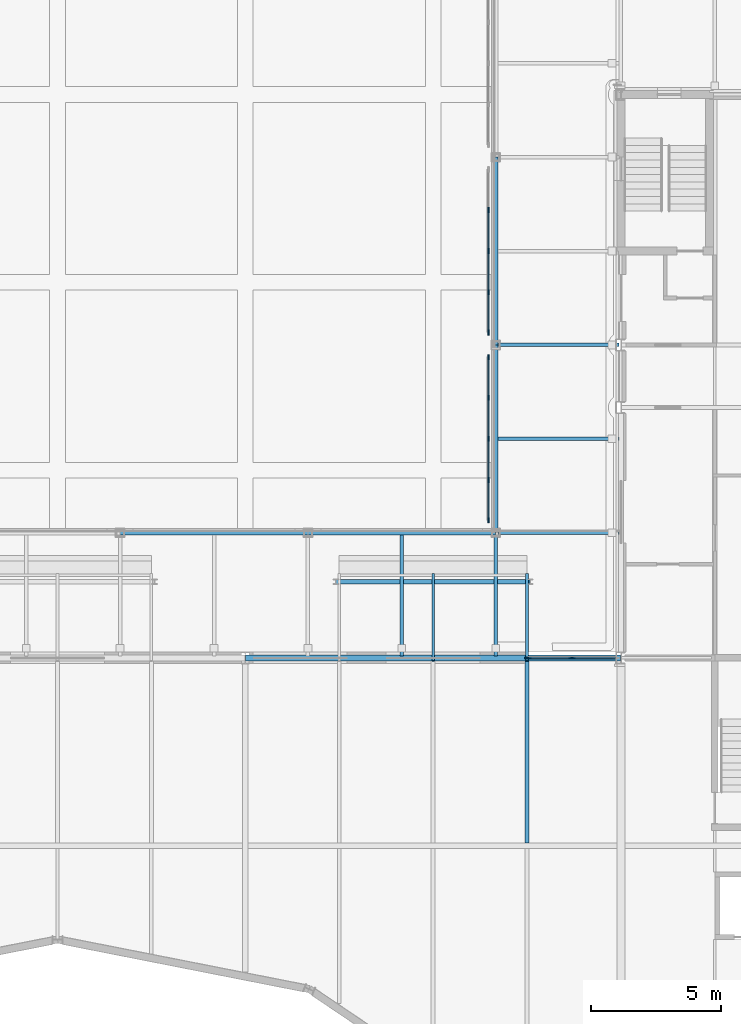
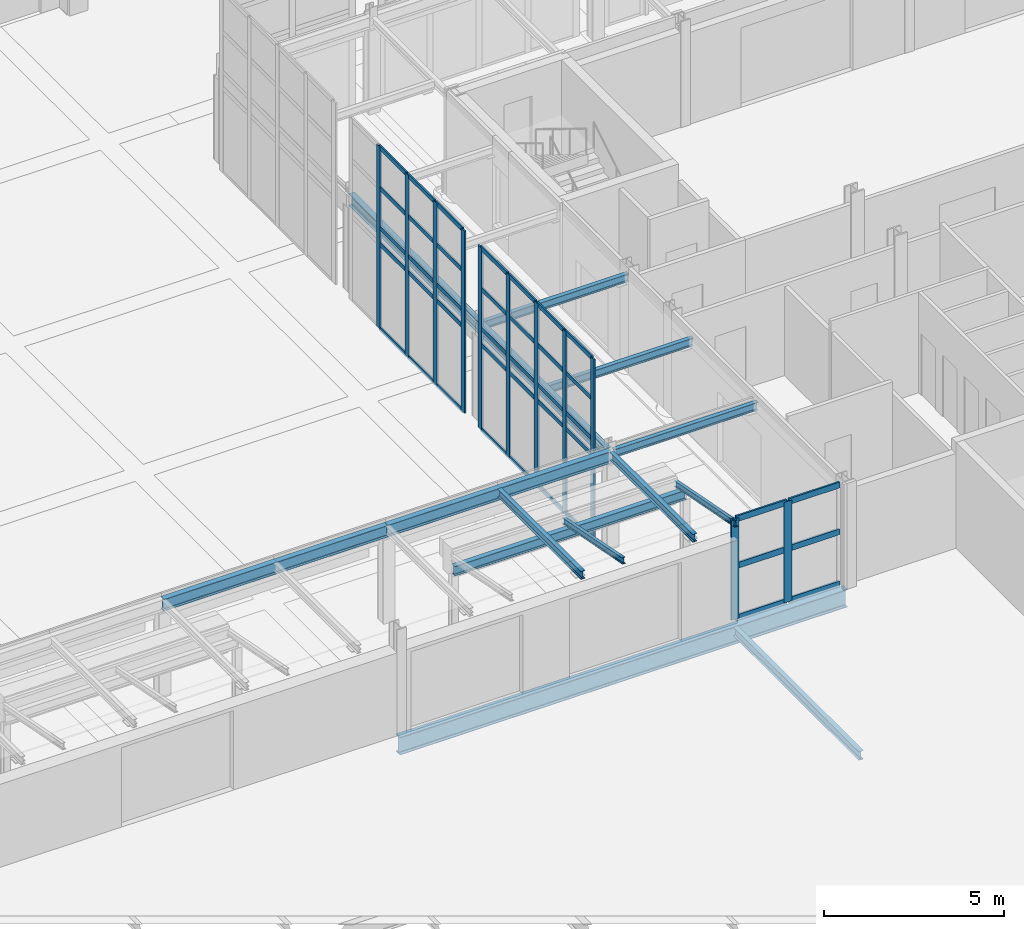
# One storey, part 48 of 143: 52 members, 14 beams, 3 elements without a shape of their own.
"""IFC4 building model written with IfcOpenShell, lengths in metres."""

from ifc_helpers import new_model, si_unit, direction, frame, origin, origin_2d, place, context, subcontext, project, spatial, rectangle, i_section, extrude, material, material_profile, profile_set, type_object, element, aggregate, save


model = new_model("IFC4")

# Units and contexts
model_context = context("Model", 3, precision=1e-05, world=origin(), true_north=direction((0.0, 1.0)))
body_context = subcontext(model_context, "Body", "Model", "MODEL_VIEW")
ifc_project = project(units=[si_unit("LENGTHUNIT", "METRE"), si_unit("AREAUNIT", "SQUARE_METRE"), si_unit("VOLUMEUNIT", "CUBIC_METRE"), si_unit("PLANEANGLEUNIT", "RADIAN"), si_unit("MASSUNIT", "GRAM", prefix="KILO")], contexts=[model_context])

# Site, building, storey
site_placement = place(None, origin())
site = spatial("IfcSite", under=ifc_project, at=site_placement, CompositionType="ELEMENT")
building_placement = place(site_placement, origin())
building = spatial("IfcBuilding", under=site, at=building_placement, Name="Kupolbacken Congress Centre", CompositionType="ELEMENT")
storey_placement = place(building_placement, frame((0.0, 0.0, 7.199951171875)))
storey = spatial("IfcBuildingStorey", under=building, at=storey_placement, Name="L02", CompositionType="ELEMENT", Elevation=7.199951171875)

# Beams
ifc_material_1 = material(Name="Steel S355", Category="steel")
ifc_material_profile_1 = material_profile(ifc_material_1, i_section(OverallWidth=0.10009765625, OverallDepth=0.199951171875, WebThickness=0.005615234375, FlangeThickness=0.008544921875, FilletRadius=0.011962890625, at=origin_2d()), Name="IPE 200")
ifc_profile_set_1 = profile_set([ifc_material_profile_1], Name="Steel S355")
beam_type_1 = type_object("IfcBeamType", Name="B01 beam IPE 200", PredefinedType="BEAM", material=ifc_profile_set_1)
for number, where, z_axis, x_axis, name in (
    (1, (61.199951171875, 122.280029296875, 3.320068359375), (0.0, 0.981591109937, -0.190994483931), (-1.0, 0.0, 0.0), "Canopy beam"),
    (2, (57.60009765625, 122.280029296875, 3.320068359375), (0.0, 0.981591109937, -0.190994483931), (-1.0, 0.0, 0.0), "Canopy beam"),
):
    element("IfcBeam", number, at=place(storey_placement, frame(where, z_axis=z_axis, x_axis=x_axis)), inside=storey, type_object=beam_type_1, Name=name, PredefinedType="BEAM", context=body_context, shape_type="SweptSolid", body=[
        extrude(i_section(OverallWidth=0.10009765625, OverallDepth=0.199951171875, WebThickness=0.005615234375, FlangeThickness=0.008544921875, FilletRadius=0.011962890625, at=origin_2d()), origin(), (0.0, 0.0, 1.0), 3.40283203125),
    ])
ifc_material_2 = material(Name="Steel S355", Category="steel")
ifc_material_profile_2 = material_profile(ifc_material_2, i_section(OverallWidth=0.135009765625, OverallDepth=0.27001953125, WebThickness=0.006591796875, FlangeThickness=0.01025390625, FilletRadius=0.014892578125, at=origin_2d()), Name="IPE 270")
ifc_profile_set_2 = profile_set([ifc_material_profile_2], Name="Steel S355")
beam_type_2 = type_object("IfcBeamType", Name="B03 beam IPE 270", PredefinedType="BEAM", material=ifc_profile_set_2)
for number, where, z_axis, x_axis, name in (
    (3, (56.39990234375, 122.47998046875, 3.135009765625), (0.0, 1.0, 0.0), (-1.0, 0.0, 0.0), "E/T/portico/P/raft56.4"),
    (4, (60.0, 122.47998046875, 3.135009765625), (0.0, 1.0, 0.0), (-1.0, 0.0, 0.0), "E/T/portico/P/raft60"),
    (5, (64.719970703125, 127.199951171875, 3.135009765625), (-1.0, 0.0, 0.0), (0.0, -1.0, 0.0), "E/T/portico/W/raft127.2"),
    (6, (64.719970703125, 130.800048828125, 3.135009765625), (-1.0, 0.0, 0.0), (0.0, -1.0, 0.0), "E/T/portico/W/raft130.8"),
    (7, (64.719970703125, 134.39990234375, 3.135009765625), (-1.0, 0.0, 0.0), (0.0, -1.0, 0.0), "E/T/portico/W/raft134.4"),
):
    element("IfcBeam", number, at=place(storey_placement, frame(where, z_axis=z_axis, x_axis=x_axis)), inside=storey, type_object=beam_type_2, Name=name, PredefinedType="BEAM", context=body_context, shape_type="SweptSolid", body=[
        extrude(i_section(OverallWidth=0.135009765625, OverallDepth=0.27001953125, WebThickness=0.006591796875, FlangeThickness=0.01025390625, FilletRadius=0.014892578125, at=origin_2d()), origin(), (0.0, 0.0, 1.0), 4.635009765625),
    ])
ifc_material_3 = material(Name="Steel S355", Category="steel")
ifc_material_profile_3 = material_profile(ifc_material_3, i_section(OverallWidth=0.14990234375, OverallDepth=0.300048828125, WebThickness=0.007080078125, FlangeThickness=0.0107421875, FilletRadius=0.014892578125, at=origin_2d()), Name="IPE 300")
ifc_profile_set_3 = profile_set([ifc_material_profile_3], Name="Steel S355")
beam_type_3 = type_object("IfcBeamType", Name="B04 beam IPE 300", PredefinedType="BEAM", material=ifc_profile_set_3)
beam_1_placement = place(storey_placement, frame((61.199951171875, 115.31005859375, -0.329833984375), z_axis=(0.0, 1.0, 0.0), x_axis=(-1.0, 0.0, 0.0)))
element("IfcBeam", 8, at=beam_1_placement, inside=storey, type_object=beam_type_3, Name="S/floor/P/L02/S139", PredefinedType="BEAM", context=body_context, shape_type="SweptSolid", body=[
    extrude(i_section(OverallWidth=0.14990234375, OverallDepth=0.300048828125, WebThickness=0.007080078125, FlangeThickness=0.0107421875, FilletRadius=0.014892578125, at=origin_2d()), origin(), (0.0, 0.0, 1.0), 6.97998046875),
])
ifc_material_4 = material(Name="Steel S355", Category="steel")
ifc_material_profile_4 = material_profile(ifc_material_4, i_section(OverallWidth=0.159912109375, OverallDepth=0.330078125, WebThickness=0.007568359375, FlangeThickness=0.011474609375, FilletRadius=0.01806640625, at=origin_2d()), Name="IPE 330")
ifc_profile_set_4 = profile_set([ifc_material_profile_4], Name="Steel S355")
beam_type_4 = type_object("IfcBeamType", Name="B05 beam IPE 330", PredefinedType="BEAM", material=ifc_profile_set_4)
beam_2_placement = place(storey_placement, frame((61.320068359375, 125.320068359375, 2.463134765625), z_axis=(-1.0, 0.0, 0.0), x_axis=(0.0, -1.0, 0.0)))
element("IfcBeam", 9, at=beam_2_placement, inside=storey, type_object=beam_type_4, Name="Canopy tip beam", PredefinedType="BEAM", context=body_context, shape_type="SweptSolid", body=[
    extrude(i_section(OverallWidth=0.159912109375, OverallDepth=0.330078125, WebThickness=0.007568359375, FlangeThickness=0.011474609375, FilletRadius=0.01806640625, at=origin_2d()), origin(), (0.0, 0.0, 1.0), 7.440185546875),
])
ifc_material_5 = material(Name="Steel S355", Category="steel")
ifc_material_profile_5 = material_profile(ifc_material_5, i_section(OverallWidth=0.179931640625, OverallDepth=0.39990234375, WebThickness=0.008544921875, FlangeThickness=0.013427734375, FilletRadius=0.02099609375, at=origin_2d()), Name="IPE 400")
ifc_profile_set_5 = profile_set([ifc_material_profile_5], Name="Steel S355")
beam_type_5 = type_object("IfcBeamType", Name="B07 beam IPE 400", PredefinedType="BEAM", material=ifc_profile_set_5)
for number, where, z_axis, x_axis, name in (
    (10, (45.60009765625, 127.199951171875, 3.070068359375), (1.0, 0.0, 0.0), (0.0, 1.0, 0.0), "E/T/portico/P/lintel45.6"),
    (11, (52.800048828125, 127.199951171875, 3.070068359375), (1.0, 0.0, 0.0), (0.0, 1.0, 0.0), "E/T/portico/P/lintel52.8"),
):
    element("IfcBeam", number, at=place(storey_placement, frame(where, z_axis=z_axis, x_axis=x_axis)), inside=storey, type_object=beam_type_5, Name=name, PredefinedType="BEAM", context=body_context, shape_type="SweptSolid", body=[
        extrude(i_section(OverallWidth=0.179931640625, OverallDepth=0.39990234375, WebThickness=0.008544921875, FlangeThickness=0.013427734375, FilletRadius=0.02099609375, at=origin_2d()), origin(), (0.0, 0.0, 1.0), 7.199951171875),
    ])
beam_3_placement = place(storey_placement, frame((60.0, 127.300048828125, 3.070068359375), z_axis=(0.0, 1.0, 0.0), x_axis=(-1.0, 0.0, 0.0)))
element("IfcBeam", 12, at=beam_3_placement, inside=storey, type_object=beam_type_5, Name="E/T/portico/W/lintel127.3", PredefinedType="BEAM", context=body_context, shape_type="SweptSolid", body=[
    extrude(i_section(OverallWidth=0.179931640625, OverallDepth=0.39990234375, WebThickness=0.008544921875, FlangeThickness=0.013427734375, FilletRadius=0.02099609375, at=origin_2d()), origin(), (0.0, 0.0, 1.0), 7.099853515625),
])
beam_4_placement = place(storey_placement, frame((60.0, 134.39990234375, 3.070068359375), z_axis=(0.0, 1.0, 0.0), x_axis=(-1.0, 0.0, 0.0)))
element("IfcBeam", 13, at=beam_4_placement, inside=storey, type_object=beam_type_5, Name="E/T/portico/W/lintel134.4", PredefinedType="BEAM", context=body_context, shape_type="SweptSolid", body=[
    extrude(i_section(OverallWidth=0.179931640625, OverallDepth=0.39990234375, WebThickness=0.008544921875, FlangeThickness=0.013427734375, FilletRadius=0.02099609375, at=origin_2d()), origin(), (0.0, 0.0, 1.0), 7.2001953125),
])
ifc_material_6 = material(Name="Steel S355", Category="steel")
ifc_material_profile_6 = material_profile(ifc_material_6, i_section(OverallWidth=0.219970703125, OverallDepth=0.60009765625, WebThickness=0.011962890625, FlangeThickness=0.01904296875, FilletRadius=0.02392578125, at=origin_2d()), Name="IPE 600")
ifc_profile_set_6 = profile_set([ifc_material_profile_6], Name="Steel S355")
beam_type_6 = type_object("IfcBeamType", Name="B11 beam IPE 600", PredefinedType="BEAM", material=ifc_profile_set_6)
beam_5_placement = place(storey_placement, frame((50.406982421875, 122.39990234375, -0.47998046875), z_axis=(1.0, 0.0, 0.0), x_axis=(0.0, 1.0, 0.0)))
element("IfcBeam", 14, at=beam_5_placement, inside=storey, type_object=beam_type_6, Name="S/floor/P/L02/R073", PredefinedType="BEAM", context=body_context, shape_type="SweptSolid", body=[
    extrude(i_section(OverallWidth=0.219970703125, OverallDepth=0.60009765625, WebThickness=0.011962890625, FlangeThickness=0.01904296875, FilletRadius=0.02392578125, at=origin_2d()), origin(), (0.0, 0.0, 1.0), 14.385986328125),
])

# Curtain wall, members
ifc_material_7 = material(Name="Aluminium mullion-transom frame with glass", Category="aluminium")
curtain_wall_type_1 = type_object("IfcCurtainWallType", Name="CW1 curtain wall 7200x3600", PredefinedType="NOTDEFINED", material=ifc_material_7)
curtain_wall_1_placement = place(storey_placement, origin())
curtain_wall_1 = element("IfcCurtainWall", 15, at=curtain_wall_1_placement, inside=storey, type_object=curtain_wall_type_1, Name="E/T/portal/W/screen127.2/cw", PredefinedType="NOTDEFINED")
ifc_material_8 = material(Name="Aluminium alloy", Category="aluminium")
ifc_material_profile_7 = material_profile(ifc_material_8, rectangle(XDim=0.050048828125, YDim=0.199951171875, at=origin_2d()), Name="50 x 200")
ifc_profile_set_7 = profile_set([ifc_material_profile_7], Name="Aluminium alloy")
member_type_1 = type_object("IfcMemberType", Name="MU2 mullion 50x200", PredefinedType="MULLION", material=ifc_profile_set_7)
member_1_placement = place(storey_placement, frame((59.719970703125, 133.925048828125, 0.0), z_axis=(0.0, 0.0, 1.0), x_axis=(1.0, 0.0, 0.0)))
member_1 = element("IfcMember", 16, at=member_1_placement, type_object=member_type_1, Name="CW1 mullion 1", PredefinedType="MULLION", context=body_context, shape_type="SweptSolid", body=[
    extrude(rectangle(XDim=0.050048828125, YDim=0.199951171875, at=origin_2d()), origin(), (0.0, 0.0, 1.0), 6.199951171875),
])
member_2_placement = place(storey_placement, frame((59.719970703125, 132.375, 0.0), z_axis=(0.0, 0.0, 1.0), x_axis=(1.0, 0.0, 0.0)))
member_2 = element("IfcMember", 17, at=member_2_placement, type_object=member_type_1, Name="CW1 mullion 2", PredefinedType="MULLION", context=body_context, shape_type="SweptSolid", body=[
    extrude(rectangle(XDim=0.050048828125, YDim=0.199951171875, at=origin_2d()), origin(), (0.0, 0.0, 1.0), 6.199951171875),
])
member_3_placement = place(storey_placement, frame((59.719970703125, 130.800048828125, 0.0), z_axis=(0.0, 0.0, 1.0), x_axis=(1.0, 0.0, 0.0)))
member_3 = element("IfcMember", 18, at=member_3_placement, type_object=member_type_1, Name="CW1 mullion 3", PredefinedType="MULLION", context=body_context, shape_type="SweptSolid", body=[
    extrude(rectangle(XDim=0.050048828125, YDim=0.199951171875, at=origin_2d()), origin(), (0.0, 0.0, 1.0), 6.199951171875),
])
member_4_placement = place(storey_placement, frame((59.719970703125, 129.22509765625, 0.0), z_axis=(0.0, 0.0, 1.0), x_axis=(1.0, 0.0, 0.0)))
member_4 = element("IfcMember", 19, at=member_4_placement, type_object=member_type_1, Name="CW1 mullion 4", PredefinedType="MULLION", context=body_context, shape_type="SweptSolid", body=[
    extrude(rectangle(XDim=0.050048828125, YDim=0.199951171875, at=origin_2d()), origin(), (0.0, 0.0, 1.0), 6.199951171875),
])
member_5_placement = place(storey_placement, frame((59.719970703125, 127.675048828125, 0.0), z_axis=(0.0, 0.0, 1.0), x_axis=(1.0, 0.0, 0.0)))
member_5 = element("IfcMember", 20, at=member_5_placement, type_object=member_type_1, Name="CW1 mullion 5", PredefinedType="MULLION", context=body_context, shape_type="SweptSolid", body=[
    extrude(rectangle(XDim=0.050048828125, YDim=0.199951171875, at=origin_2d()), origin(), (0.0, 0.0, 1.0), 6.199951171875),
])

curtain_wall_2_placement = place(storey_placement, origin())
curtain_wall_2 = element("IfcCurtainWall", 21, at=curtain_wall_2_placement, inside=storey, type_object=curtain_wall_type_1, Name="E/T/portal/W/screen134.4/cw", PredefinedType="NOTDEFINED")
member_6_placement = place(storey_placement, frame((59.719970703125, 139.574951171875, 0.0), z_axis=(0.0, 0.0, 1.0), x_axis=(1.0, 0.0, 0.0)))
member_6 = element("IfcMember", 22, at=member_6_placement, type_object=member_type_1, Name="CW1 mullion 2", PredefinedType="MULLION", context=body_context, shape_type="SweptSolid", body=[
    extrude(rectangle(XDim=0.050048828125, YDim=0.199951171875, at=origin_2d()), origin(), (0.0, 0.0, 1.0), 6.199951171875),
])
member_7_placement = place(storey_placement, frame((59.719970703125, 138.0, 0.0), z_axis=(0.0, 0.0, 1.0), x_axis=(1.0, 0.0, 0.0)))
member_7 = element("IfcMember", 23, at=member_7_placement, type_object=member_type_1, Name="CW1 mullion 3", PredefinedType="MULLION", context=body_context, shape_type="SweptSolid", body=[
    extrude(rectangle(XDim=0.050048828125, YDim=0.199951171875, at=origin_2d()), origin(), (0.0, 0.0, 1.0), 6.199951171875),
])
member_8_placement = place(storey_placement, frame((59.719970703125, 136.425048828125, 0.0), z_axis=(0.0, 0.0, 1.0), x_axis=(1.0, 0.0, 0.0)))
member_8 = element("IfcMember", 24, at=member_8_placement, type_object=member_type_1, Name="CW1 mullion 4", PredefinedType="MULLION", context=body_context, shape_type="SweptSolid", body=[
    extrude(rectangle(XDim=0.050048828125, YDim=0.199951171875, at=origin_2d()), origin(), (0.0, 0.0, 1.0), 6.199951171875),
])
member_9_placement = place(storey_placement, frame((59.719970703125, 134.875, 0.0), z_axis=(0.0, 0.0, 1.0), x_axis=(1.0, 0.0, 0.0)))
member_9 = element("IfcMember", 25, at=member_9_placement, type_object=member_type_1, Name="CW1 mullion 5", PredefinedType="MULLION", context=body_context, shape_type="SweptSolid", body=[
    extrude(rectangle(XDim=0.050048828125, YDim=0.199951171875, at=origin_2d()), origin(), (0.0, 0.0, 1.0), 6.199951171875),
])

ifc_material_9 = material(Name="Aluminium mullion-transom frame with glass", Category="aluminium")
curtain_wall_type_2 = type_object("IfcCurtainWallType", Name="CW2 curtain wall 3600x3600", PredefinedType="NOTDEFINED", material=ifc_material_9)
curtain_wall_3_placement = place(storey_placement, origin())
curtain_wall_3 = element("IfcCurtainWall", 26, at=curtain_wall_3_placement, inside=storey, type_object=curtain_wall_type_2, Name="E/P/N/L02/277", PredefinedType="NOTDEFINED")
ifc_material_10 = material(Name="Aluminium alloy", Category="aluminium")
ifc_material_profile_8 = material_profile(ifc_material_10, rectangle(XDim=0.06005859375, YDim=0.25, at=origin_2d()), Name="60 x 250")
ifc_profile_set_8 = profile_set([ifc_material_profile_8], Name="Aluminium alloy")
member_type_2 = type_object("IfcMemberType", Name="MU3 mullion 60x250", PredefinedType="MULLION", material=ifc_profile_set_8)
member_10_placement = place(storey_placement, frame((62.925048828125, 122.39990234375, 0.0), z_axis=(0.0, 0.0, 1.0), x_axis=(0.0, -1.0, 0.0)))
member_10 = element("IfcMember", 27, at=member_10_placement, type_object=member_type_2, Name="CW2 mullion 2", PredefinedType="MULLION", context=body_context, shape_type="SweptSolid", body=[
    extrude(rectangle(XDim=0.06005859375, YDim=0.25, at=origin_2d()), origin(), (0.0, 0.0, 1.0), 3.420166015625),
])
member_11_placement = place(storey_placement, frame((61.22998046875, 122.39990234375, 0.0), z_axis=(0.0, 0.0, 1.0), x_axis=(0.0, -1.0, 0.0)))
member_11 = element("IfcMember", 28, at=member_11_placement, type_object=member_type_2, Name="CW2 mullion 3", PredefinedType="MULLION", context=body_context, shape_type="SweptSolid", body=[
    extrude(rectangle(XDim=0.06005859375, YDim=0.25, at=origin_2d()), origin(), (0.0, 0.0, 1.0), 3.420166015625),
])

# Member
ifc_material_11 = material(Name="Aluminium alloy", Category="aluminium")
ifc_material_profile_9 = material_profile(ifc_material_11, rectangle(XDim=0.050048828125, YDim=0.14990234375, at=origin_2d()), Name="50 x 150")
ifc_profile_set_9 = profile_set([ifc_material_profile_9], Name="Aluminium alloy")
member_type_3 = type_object("IfcMemberType", Name="TR2 transom 50x150", PredefinedType="MULLION", material=ifc_profile_set_9)
member_12_placement = place(storey_placement, frame((59.719970703125, 133.89990234375, 0.025146484375), z_axis=(0.0, -1.0, 0.0), x_axis=(1.0, 0.0, 0.0)))
member_12 = element("IfcMember", 29, at=member_12_placement, type_object=member_type_3, Name="CW1 transom 1.1", PredefinedType="MULLION", context=body_context, shape_type="SweptSolid", body=[
    extrude(rectangle(XDim=0.050048828125, YDim=0.14990234375, at=origin_2d()), origin(), (0.0, 0.0, 1.0), 1.5),
])

member_13_placement = place(storey_placement, frame((59.719970703125, 133.89990234375, 2.900146484375), z_axis=(0.0, -1.0, 0.0), x_axis=(1.0, 0.0, 0.0)))
member_13 = element("IfcMember", 30, at=member_13_placement, type_object=member_type_3, Name="CW1 transom 1.2", PredefinedType="MULLION", context=body_context, shape_type="SweptSolid", body=[
    extrude(rectangle(XDim=0.050048828125, YDim=0.14990234375, at=origin_2d()), origin(), (0.0, 0.0, 1.0), 1.5),
])

member_14_placement = place(storey_placement, frame((59.719970703125, 133.89990234375, 3.449951171875), z_axis=(0.0, -1.0, 0.0), x_axis=(1.0, 0.0, 0.0)))
member_14 = element("IfcMember", 31, at=member_14_placement, type_object=member_type_3, Name="CW1 transom 1.3", PredefinedType="MULLION", context=body_context, shape_type="SweptSolid", body=[
    extrude(rectangle(XDim=0.050048828125, YDim=0.14990234375, at=origin_2d()), origin(), (0.0, 0.0, 1.0), 1.5),
])

member_15_placement = place(storey_placement, frame((59.719970703125, 133.89990234375, 4.800048828125), z_axis=(0.0, -1.0, 0.0), x_axis=(1.0, 0.0, 0.0)))
member_15 = element("IfcMember", 32, at=member_15_placement, type_object=member_type_3, Name="CW1 transom 1.4", PredefinedType="MULLION", context=body_context, shape_type="SweptSolid", body=[
    extrude(rectangle(XDim=0.050048828125, YDim=0.14990234375, at=origin_2d()), origin(), (0.0, 0.0, 1.0), 1.5),
])

member_16_placement = place(storey_placement, frame((59.719970703125, 133.89990234375, 6.175048828125), z_axis=(0.0, -1.0, 0.0), x_axis=(1.0, 0.0, 0.0)))
member_16 = element("IfcMember", 33, at=member_16_placement, type_object=member_type_3, Name="CW1 transom 1.5", PredefinedType="MULLION", context=body_context, shape_type="SweptSolid", body=[
    extrude(rectangle(XDim=0.050048828125, YDim=0.14990234375, at=origin_2d()), origin(), (0.0, 0.0, 1.0), 1.5),
])

member_17_placement = place(storey_placement, frame((59.719970703125, 132.35009765625, 0.025146484375), z_axis=(0.0, -1.0, 0.0), x_axis=(1.0, 0.0, 0.0)))
member_17 = element("IfcMember", 34, at=member_17_placement, type_object=member_type_3, Name="CW1 transom 2.1", PredefinedType="MULLION", context=body_context, shape_type="SweptSolid", body=[
    extrude(rectangle(XDim=0.050048828125, YDim=0.14990234375, at=origin_2d()), origin(), (0.0, 0.0, 1.0), 1.525146484375),
])

member_18_placement = place(storey_placement, frame((59.719970703125, 132.35009765625, 2.900146484375), z_axis=(0.0, -1.0, 0.0), x_axis=(1.0, 0.0, 0.0)))
member_18 = element("IfcMember", 35, at=member_18_placement, type_object=member_type_3, Name="CW1 transom 2.2", PredefinedType="MULLION", context=body_context, shape_type="SweptSolid", body=[
    extrude(rectangle(XDim=0.050048828125, YDim=0.14990234375, at=origin_2d()), origin(), (0.0, 0.0, 1.0), 1.525146484375),
])

member_19_placement = place(storey_placement, frame((59.719970703125, 132.35009765625, 3.449951171875), z_axis=(0.0, -1.0, 0.0), x_axis=(1.0, 0.0, 0.0)))
member_19 = element("IfcMember", 36, at=member_19_placement, type_object=member_type_3, Name="CW1 transom 2.3", PredefinedType="MULLION", context=body_context, shape_type="SweptSolid", body=[
    extrude(rectangle(XDim=0.050048828125, YDim=0.14990234375, at=origin_2d()), origin(), (0.0, 0.0, 1.0), 1.525146484375),
])

member_20_placement = place(storey_placement, frame((59.719970703125, 132.35009765625, 4.800048828125), z_axis=(0.0, -1.0, 0.0), x_axis=(1.0, 0.0, 0.0)))
member_20 = element("IfcMember", 37, at=member_20_placement, type_object=member_type_3, Name="CW1 transom 2.4", PredefinedType="MULLION", context=body_context, shape_type="SweptSolid", body=[
    extrude(rectangle(XDim=0.050048828125, YDim=0.14990234375, at=origin_2d()), origin(), (0.0, 0.0, 1.0), 1.525146484375),
])

member_21_placement = place(storey_placement, frame((59.719970703125, 132.35009765625, 6.175048828125), z_axis=(0.0, -1.0, 0.0), x_axis=(1.0, 0.0, 0.0)))
member_21 = element("IfcMember", 38, at=member_21_placement, type_object=member_type_3, Name="CW1 transom 2.5", PredefinedType="MULLION", context=body_context, shape_type="SweptSolid", body=[
    extrude(rectangle(XDim=0.050048828125, YDim=0.14990234375, at=origin_2d()), origin(), (0.0, 0.0, 1.0), 1.525146484375),
])

member_22_placement = place(storey_placement, frame((59.719970703125, 130.77490234375, 0.025146484375), z_axis=(0.0, -1.0, 0.0), x_axis=(1.0, 0.0, 0.0)))
member_22 = element("IfcMember", 39, at=member_22_placement, type_object=member_type_3, Name="CW1 transom 3.1", PredefinedType="MULLION", context=body_context, shape_type="SweptSolid", body=[
    extrude(rectangle(XDim=0.050048828125, YDim=0.14990234375, at=origin_2d()), origin(), (0.0, 0.0, 1.0), 1.52490234375),
])

member_23_placement = place(storey_placement, frame((59.719970703125, 130.77490234375, 2.900146484375), z_axis=(0.0, -1.0, 0.0), x_axis=(1.0, 0.0, 0.0)))
member_23 = element("IfcMember", 40, at=member_23_placement, type_object=member_type_3, Name="CW1 transom 3.2", PredefinedType="MULLION", context=body_context, shape_type="SweptSolid", body=[
    extrude(rectangle(XDim=0.050048828125, YDim=0.14990234375, at=origin_2d()), origin(), (0.0, 0.0, 1.0), 1.52490234375),
])

member_24_placement = place(storey_placement, frame((59.719970703125, 130.77490234375, 3.449951171875), z_axis=(0.0, -1.0, 0.0), x_axis=(1.0, 0.0, 0.0)))
member_24 = element("IfcMember", 41, at=member_24_placement, type_object=member_type_3, Name="CW1 transom 3.3", PredefinedType="MULLION", context=body_context, shape_type="SweptSolid", body=[
    extrude(rectangle(XDim=0.050048828125, YDim=0.14990234375, at=origin_2d()), origin(), (0.0, 0.0, 1.0), 1.52490234375),
])

member_25_placement = place(storey_placement, frame((59.719970703125, 130.77490234375, 4.800048828125), z_axis=(0.0, -1.0, 0.0), x_axis=(1.0, 0.0, 0.0)))
member_25 = element("IfcMember", 42, at=member_25_placement, type_object=member_type_3, Name="CW1 transom 3.4", PredefinedType="MULLION", context=body_context, shape_type="SweptSolid", body=[
    extrude(rectangle(XDim=0.050048828125, YDim=0.14990234375, at=origin_2d()), origin(), (0.0, 0.0, 1.0), 1.52490234375),
])

member_26_placement = place(storey_placement, frame((59.719970703125, 130.77490234375, 6.175048828125), z_axis=(0.0, -1.0, 0.0), x_axis=(1.0, 0.0, 0.0)))
member_26 = element("IfcMember", 43, at=member_26_placement, type_object=member_type_3, Name="CW1 transom 3.5", PredefinedType="MULLION", context=body_context, shape_type="SweptSolid", body=[
    extrude(rectangle(XDim=0.050048828125, YDim=0.14990234375, at=origin_2d()), origin(), (0.0, 0.0, 1.0), 1.52490234375),
])

member_27_placement = place(storey_placement, frame((59.719970703125, 129.199951171875, 0.025146484375), z_axis=(0.0, -1.0, 0.0), x_axis=(1.0, 0.0, 0.0)))
member_27 = element("IfcMember", 44, at=member_27_placement, type_object=member_type_3, Name="CW1 transom 4.1", PredefinedType="MULLION", context=body_context, shape_type="SweptSolid", body=[
    extrude(rectangle(XDim=0.050048828125, YDim=0.14990234375, at=origin_2d()), origin(), (0.0, 0.0, 1.0), 1.5),
])

member_28_placement = place(storey_placement, frame((59.719970703125, 129.199951171875, 2.900146484375), z_axis=(0.0, -1.0, 0.0), x_axis=(1.0, 0.0, 0.0)))
member_28 = element("IfcMember", 45, at=member_28_placement, type_object=member_type_3, Name="CW1 transom 4.2", PredefinedType="MULLION", context=body_context, shape_type="SweptSolid", body=[
    extrude(rectangle(XDim=0.050048828125, YDim=0.14990234375, at=origin_2d()), origin(), (0.0, 0.0, 1.0), 1.5),
])

member_29_placement = place(storey_placement, frame((59.719970703125, 129.199951171875, 3.449951171875), z_axis=(0.0, -1.0, 0.0), x_axis=(1.0, 0.0, 0.0)))
member_29 = element("IfcMember", 46, at=member_29_placement, type_object=member_type_3, Name="CW1 transom 4.3", PredefinedType="MULLION", context=body_context, shape_type="SweptSolid", body=[
    extrude(rectangle(XDim=0.050048828125, YDim=0.14990234375, at=origin_2d()), origin(), (0.0, 0.0, 1.0), 1.5),
])

member_30_placement = place(storey_placement, frame((59.719970703125, 129.199951171875, 4.800048828125), z_axis=(0.0, -1.0, 0.0), x_axis=(1.0, 0.0, 0.0)))
member_30 = element("IfcMember", 47, at=member_30_placement, type_object=member_type_3, Name="CW1 transom 4.4", PredefinedType="MULLION", context=body_context, shape_type="SweptSolid", body=[
    extrude(rectangle(XDim=0.050048828125, YDim=0.14990234375, at=origin_2d()), origin(), (0.0, 0.0, 1.0), 1.5),
])

member_31_placement = place(storey_placement, frame((59.719970703125, 129.199951171875, 6.175048828125), z_axis=(0.0, -1.0, 0.0), x_axis=(1.0, 0.0, 0.0)))
member_31 = element("IfcMember", 48, at=member_31_placement, type_object=member_type_3, Name="CW1 transom 4.5", PredefinedType="MULLION", context=body_context, shape_type="SweptSolid", body=[
    extrude(rectangle(XDim=0.050048828125, YDim=0.14990234375, at=origin_2d()), origin(), (0.0, 0.0, 1.0), 1.5),
])

aggregate(curtain_wall_1, [member_1, member_2, member_3, member_4, member_5, member_12, member_13, member_14, member_15, member_16, member_17, member_18, member_19, member_20, member_21, member_22, member_23, member_24, member_25, member_26, member_27, member_28, member_29, member_30, member_31])

member_32_placement = place(storey_placement, frame((59.719970703125, 139.550048828125, 0.025146484375), z_axis=(0.0, -1.0, 0.0), x_axis=(1.0, 0.0, 0.0)))
member_32 = element("IfcMember", 49, at=member_32_placement, type_object=member_type_3, Name="CW1 transom 2.1", PredefinedType="MULLION", context=body_context, shape_type="SweptSolid", body=[
    extrude(rectangle(XDim=0.050048828125, YDim=0.14990234375, at=origin_2d()), origin(), (0.0, 0.0, 1.0), 1.525146484375),
])

member_33_placement = place(storey_placement, frame((59.719970703125, 139.550048828125, 2.900146484375), z_axis=(0.0, -1.0, 0.0), x_axis=(1.0, 0.0, 0.0)))
member_33 = element("IfcMember", 50, at=member_33_placement, type_object=member_type_3, Name="CW1 transom 2.2", PredefinedType="MULLION", context=body_context, shape_type="SweptSolid", body=[
    extrude(rectangle(XDim=0.050048828125, YDim=0.14990234375, at=origin_2d()), origin(), (0.0, 0.0, 1.0), 1.525146484375),
])

member_34_placement = place(storey_placement, frame((59.719970703125, 139.550048828125, 3.449951171875), z_axis=(0.0, -1.0, 0.0), x_axis=(1.0, 0.0, 0.0)))
member_34 = element("IfcMember", 51, at=member_34_placement, type_object=member_type_3, Name="CW1 transom 2.3", PredefinedType="MULLION", context=body_context, shape_type="SweptSolid", body=[
    extrude(rectangle(XDim=0.050048828125, YDim=0.14990234375, at=origin_2d()), origin(), (0.0, 0.0, 1.0), 1.525146484375),
])

member_35_placement = place(storey_placement, frame((59.719970703125, 139.550048828125, 4.800048828125), z_axis=(0.0, -1.0, 0.0), x_axis=(1.0, 0.0, 0.0)))
member_35 = element("IfcMember", 52, at=member_35_placement, type_object=member_type_3, Name="CW1 transom 2.4", PredefinedType="MULLION", context=body_context, shape_type="SweptSolid", body=[
    extrude(rectangle(XDim=0.050048828125, YDim=0.14990234375, at=origin_2d()), origin(), (0.0, 0.0, 1.0), 1.525146484375),
])

member_36_placement = place(storey_placement, frame((59.719970703125, 139.550048828125, 6.175048828125), z_axis=(0.0, -1.0, 0.0), x_axis=(1.0, 0.0, 0.0)))
member_36 = element("IfcMember", 53, at=member_36_placement, type_object=member_type_3, Name="CW1 transom 2.5", PredefinedType="MULLION", context=body_context, shape_type="SweptSolid", body=[
    extrude(rectangle(XDim=0.050048828125, YDim=0.14990234375, at=origin_2d()), origin(), (0.0, 0.0, 1.0), 1.525146484375),
])

member_37_placement = place(storey_placement, frame((59.719970703125, 137.97509765625, 0.025146484375), z_axis=(0.0, -1.0, 0.0), x_axis=(1.0, 0.0, 0.0)))
member_37 = element("IfcMember", 54, at=member_37_placement, type_object=member_type_3, Name="CW1 transom 3.1", PredefinedType="MULLION", context=body_context, shape_type="SweptSolid", body=[
    extrude(rectangle(XDim=0.050048828125, YDim=0.14990234375, at=origin_2d()), origin(), (0.0, 0.0, 1.0), 1.525146484375),
])

member_38_placement = place(storey_placement, frame((59.719970703125, 137.97509765625, 2.900146484375), z_axis=(0.0, -1.0, 0.0), x_axis=(1.0, 0.0, 0.0)))
member_38 = element("IfcMember", 55, at=member_38_placement, type_object=member_type_3, Name="CW1 transom 3.2", PredefinedType="MULLION", context=body_context, shape_type="SweptSolid", body=[
    extrude(rectangle(XDim=0.050048828125, YDim=0.14990234375, at=origin_2d()), origin(), (0.0, 0.0, 1.0), 1.525146484375),
])

member_39_placement = place(storey_placement, frame((59.719970703125, 137.97509765625, 3.449951171875), z_axis=(0.0, -1.0, 0.0), x_axis=(1.0, 0.0, 0.0)))
member_39 = element("IfcMember", 56, at=member_39_placement, type_object=member_type_3, Name="CW1 transom 3.3", PredefinedType="MULLION", context=body_context, shape_type="SweptSolid", body=[
    extrude(rectangle(XDim=0.050048828125, YDim=0.14990234375, at=origin_2d()), origin(), (0.0, 0.0, 1.0), 1.525146484375),
])

member_40_placement = place(storey_placement, frame((59.719970703125, 137.97509765625, 4.800048828125), z_axis=(0.0, -1.0, 0.0), x_axis=(1.0, 0.0, 0.0)))
member_40 = element("IfcMember", 57, at=member_40_placement, type_object=member_type_3, Name="CW1 transom 3.4", PredefinedType="MULLION", context=body_context, shape_type="SweptSolid", body=[
    extrude(rectangle(XDim=0.050048828125, YDim=0.14990234375, at=origin_2d()), origin(), (0.0, 0.0, 1.0), 1.525146484375),
])

member_41_placement = place(storey_placement, frame((59.719970703125, 137.97509765625, 6.175048828125), z_axis=(0.0, -1.0, 0.0), x_axis=(1.0, 0.0, 0.0)))
member_41 = element("IfcMember", 58, at=member_41_placement, type_object=member_type_3, Name="CW1 transom 3.5", PredefinedType="MULLION", context=body_context, shape_type="SweptSolid", body=[
    extrude(rectangle(XDim=0.050048828125, YDim=0.14990234375, at=origin_2d()), origin(), (0.0, 0.0, 1.0), 1.525146484375),
])

member_42_placement = place(storey_placement, frame((59.719970703125, 136.39990234375, 0.025146484375), z_axis=(0.0, -1.0, 0.0), x_axis=(1.0, 0.0, 0.0)))
member_42 = element("IfcMember", 59, at=member_42_placement, type_object=member_type_3, Name="CW1 transom 4.1", PredefinedType="MULLION", context=body_context, shape_type="SweptSolid", body=[
    extrude(rectangle(XDim=0.050048828125, YDim=0.14990234375, at=origin_2d()), origin(), (0.0, 0.0, 1.0), 1.5),
])

member_43_placement = place(storey_placement, frame((59.719970703125, 136.39990234375, 2.900146484375), z_axis=(0.0, -1.0, 0.0), x_axis=(1.0, 0.0, 0.0)))
member_43 = element("IfcMember", 60, at=member_43_placement, type_object=member_type_3, Name="CW1 transom 4.2", PredefinedType="MULLION", context=body_context, shape_type="SweptSolid", body=[
    extrude(rectangle(XDim=0.050048828125, YDim=0.14990234375, at=origin_2d()), origin(), (0.0, 0.0, 1.0), 1.5),
])

member_44_placement = place(storey_placement, frame((59.719970703125, 136.39990234375, 3.449951171875), z_axis=(0.0, -1.0, 0.0), x_axis=(1.0, 0.0, 0.0)))
member_44 = element("IfcMember", 61, at=member_44_placement, type_object=member_type_3, Name="CW1 transom 4.3", PredefinedType="MULLION", context=body_context, shape_type="SweptSolid", body=[
    extrude(rectangle(XDim=0.050048828125, YDim=0.14990234375, at=origin_2d()), origin(), (0.0, 0.0, 1.0), 1.5),
])

member_45_placement = place(storey_placement, frame((59.719970703125, 136.39990234375, 4.800048828125), z_axis=(0.0, -1.0, 0.0), x_axis=(1.0, 0.0, 0.0)))
member_45 = element("IfcMember", 62, at=member_45_placement, type_object=member_type_3, Name="CW1 transom 4.4", PredefinedType="MULLION", context=body_context, shape_type="SweptSolid", body=[
    extrude(rectangle(XDim=0.050048828125, YDim=0.14990234375, at=origin_2d()), origin(), (0.0, 0.0, 1.0), 1.5),
])

member_46_placement = place(storey_placement, frame((59.719970703125, 136.39990234375, 6.175048828125), z_axis=(0.0, -1.0, 0.0), x_axis=(1.0, 0.0, 0.0)))
member_46 = element("IfcMember", 63, at=member_46_placement, type_object=member_type_3, Name="CW1 transom 4.5", PredefinedType="MULLION", context=body_context, shape_type="SweptSolid", body=[
    extrude(rectangle(XDim=0.050048828125, YDim=0.14990234375, at=origin_2d()), origin(), (0.0, 0.0, 1.0), 1.5),
])

aggregate(curtain_wall_2, [member_6, member_7, member_8, member_9, member_32, member_33, member_34, member_35, member_36, member_37, member_38, member_39, member_40, member_41, member_42, member_43, member_44, member_45, member_46])

ifc_material_12 = material(Name="Aluminium alloy", Category="aluminium")
ifc_material_profile_10 = material_profile(ifc_material_12, rectangle(XDim=0.06005859375, YDim=0.199951171875, at=origin_2d()), Name="60 x 200")
ifc_profile_set_10 = profile_set([ifc_material_profile_10], Name="Aluminium alloy")
member_type_4 = type_object("IfcMemberType", Name="TR3 transom 60x200", PredefinedType="MULLION", material=ifc_profile_set_10)
member_47_placement = place(storey_placement, frame((64.590087890625, 122.39990234375, 0.030029296875), z_axis=(-1.0, 0.0, 0.0), x_axis=(0.0, -1.0, 0.0)))
member_47 = element("IfcMember", 64, at=member_47_placement, type_object=member_type_4, Name="CW2 transom 1.1", PredefinedType="MULLION", context=body_context, shape_type="SweptSolid", body=[
    extrude(rectangle(XDim=0.06005859375, YDim=0.199951171875, at=origin_2d()), origin(), (0.0, 0.0, 1.0), 1.635009765625),
])

member_48_placement = place(storey_placement, frame((64.590087890625, 122.39990234375, 1.800048828125), z_axis=(-1.0, 0.0, 0.0), x_axis=(0.0, -1.0, 0.0)))
member_48 = element("IfcMember", 65, at=member_48_placement, type_object=member_type_4, Name="CW2 transom 1.2", PredefinedType="MULLION", context=body_context, shape_type="SweptSolid", body=[
    extrude(rectangle(XDim=0.06005859375, YDim=0.199951171875, at=origin_2d()), origin(), (0.0, 0.0, 1.0), 1.635009765625),
])

member_49_placement = place(storey_placement, frame((64.590087890625, 122.39990234375, 3.39013671875), z_axis=(-1.0, 0.0, 0.0), x_axis=(0.0, -1.0, 0.0)))
member_49 = element("IfcMember", 66, at=member_49_placement, type_object=member_type_4, Name="CW2 transom 1.3", PredefinedType="MULLION", context=body_context, shape_type="SweptSolid", body=[
    extrude(rectangle(XDim=0.06005859375, YDim=0.199951171875, at=origin_2d()), origin(), (0.0, 0.0, 1.0), 1.635009765625),
])

member_50_placement = place(storey_placement, frame((62.89501953125, 122.39990234375, 0.030029296875), z_axis=(-1.0, 0.0, 0.0), x_axis=(0.0, -1.0, 0.0)))
member_50 = element("IfcMember", 67, at=member_50_placement, type_object=member_type_4, Name="CW2 transom 2.1", PredefinedType="MULLION", context=body_context, shape_type="SweptSolid", body=[
    extrude(rectangle(XDim=0.06005859375, YDim=0.199951171875, at=origin_2d()), origin(), (0.0, 0.0, 1.0), 1.635009765625),
])

member_51_placement = place(storey_placement, frame((62.89501953125, 122.39990234375, 1.800048828125), z_axis=(-1.0, 0.0, 0.0), x_axis=(0.0, -1.0, 0.0)))
member_51 = element("IfcMember", 68, at=member_51_placement, type_object=member_type_4, Name="CW2 transom 2.2", PredefinedType="MULLION", context=body_context, shape_type="SweptSolid", body=[
    extrude(rectangle(XDim=0.06005859375, YDim=0.199951171875, at=origin_2d()), origin(), (0.0, 0.0, 1.0), 1.635009765625),
])

member_52_placement = place(storey_placement, frame((62.89501953125, 122.39990234375, 3.39013671875), z_axis=(-1.0, 0.0, 0.0), x_axis=(0.0, -1.0, 0.0)))
member_52 = element("IfcMember", 69, at=member_52_placement, type_object=member_type_4, Name="CW2 transom 2.3", PredefinedType="MULLION", context=body_context, shape_type="SweptSolid", body=[
    extrude(rectangle(XDim=0.06005859375, YDim=0.199951171875, at=origin_2d()), origin(), (0.0, 0.0, 1.0), 1.635009765625),
])

aggregate(curtain_wall_3, [member_10, member_11, member_47, member_48, member_49, member_50, member_51, member_52])

save(model, "model.ifc")
